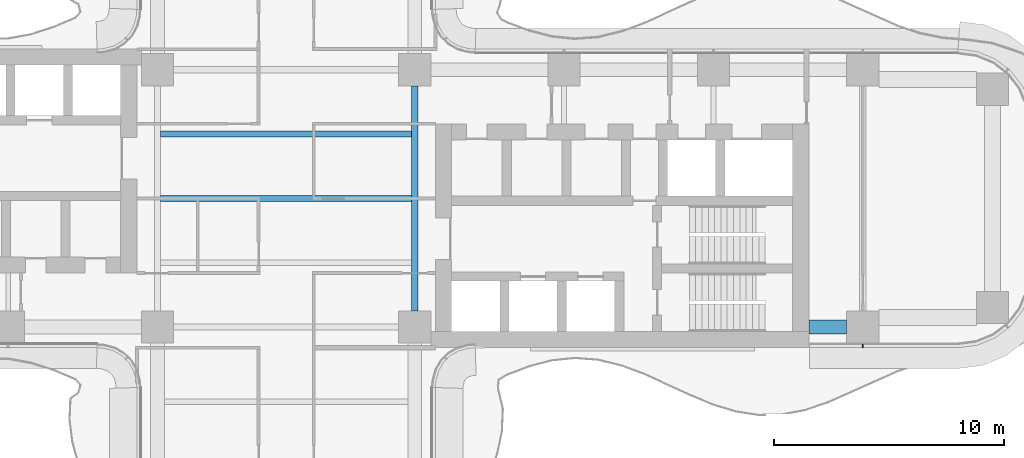
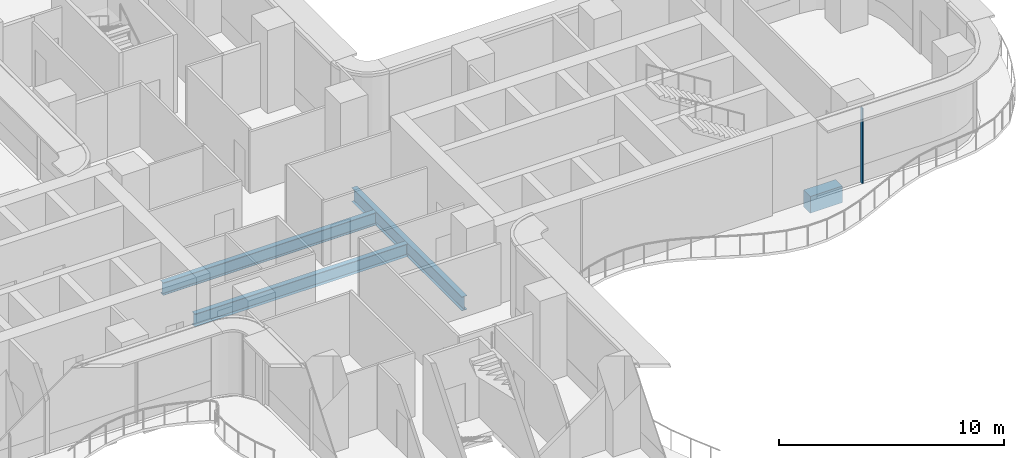
# One storey, part 6 of 22: 4 beams, 1 member, 1 element without a shape of its own.
"""IFC4 building model written with IfcOpenShell, lengths in metres."""

from ifc_helpers import new_model, si_unit, direction, frame, origin, origin_2d, place, context, subcontext, project, spatial, rectangle, i_section, extrude, source, transform, mapped, material, layer, layer_set, material_profile, profile_set, type_object, element, aggregate, save


model = new_model("IFC4")

# Units and contexts
model_context = context("Model", 3, precision=1e-05, world=origin(), true_north=direction((0.0, 1.0)))
body_context = subcontext(model_context, "Body", "Model", "MODEL_VIEW")
ifc_project = project(units=[si_unit("LENGTHUNIT", "METRE"), si_unit("AREAUNIT", "SQUARE_METRE"), si_unit("VOLUMEUNIT", "CUBIC_METRE"), si_unit("PLANEANGLEUNIT", "RADIAN"), si_unit("MASSUNIT", "GRAM", prefix="KILO")], contexts=[model_context])

# Site, building, storey
site_placement = place(None, origin())
site = spatial("IfcSite", under=ifc_project, at=site_placement, CompositionType="ELEMENT")
building_placement = place(site_placement, origin())
building = spatial("IfcBuilding", under=site, at=building_placement, Name="Trellis Farm Tower", CompositionType="ELEMENT")
storey_placement = place(building_placement, frame((0.0, 0.0, 43.0)))
storey = spatial("IfcBuildingStorey", under=building, at=storey_placement, Name="L08", CompositionType="ELEMENT", Elevation=43.0)

# Beams
ifc_material_1 = material(Name="Steel S355", Category="steel")
ifc_material_profile_1 = material_profile(ifc_material_1, i_section(OverallWidth=0.253662109375, OverallDepth=0.68359375, WebThickness=0.012451171875, FlangeThickness=0.021728515625, FilletRadius=0.01513671875, at=origin_2d()), Name="UB 686x254x140")
ifc_profile_set_1 = profile_set([ifc_material_profile_1], Name="Steel S355")
beam_type_1 = type_object("IfcBeamType", Name="UB 686x254x140 joist", PredefinedType="JOIST", material=ifc_profile_set_1)
shared_shape_1 = source(origin(), body_context, "Body", "SweptSolid", [
    extrude(i_section(OverallWidth=0.253662109375, OverallDepth=0.68359375, WebThickness=0.012451171875, FlangeThickness=0.021728515625, FilletRadius=0.01513671875, at=origin_2d()), origin(), (0.0, 0.0, 1.0), 10.93310546875),
])
for number, where, z_axis, x_axis, name in (
    (1, (-5.466552734375, 0.0, -0.591796875), (1.0, 0.0, 0.0), (0.0, 1.0, 0.0), "Floor beam"),
    (2, (-5.466552734375, 2.800048828125, -0.591796875), (1.0, 0.0, 0.0), (0.0, 1.0, 0.0), "Floor beam"),
):
    element("IfcBeam", number, at=place(storey_placement, frame(where, z_axis=z_axis, x_axis=x_axis)), inside=storey, type_object=beam_type_1, Name=name, PredefinedType="JOIST", context=body_context, shape_type="MappedRepresentation", body=[
        mapped(shared_shape_1, transform((0.0, 0.0, 0.0))),
    ])
ifc_material_profile_2 = material_profile(ifc_material_1, i_section(OverallWidth=0.2666015625, OverallDepth=0.76220703125, WebThickness=0.014404296875, FlangeThickness=0.021484375, FilletRadius=0.0166015625, at=origin_2d()), Name="UB 762x267x173")
ifc_profile_set_2 = profile_set([ifc_material_profile_2], Name="Steel S355")
beam_type_2 = type_object("IfcBeamType", Name="UB 762x267x173", PredefinedType="BEAM", material=ifc_profile_set_2)
shared_shape_2 = source(origin(), body_context, "Body", "SweptSolid", [
    extrude(i_section(OverallWidth=0.2666015625, OverallDepth=0.76220703125, WebThickness=0.014404296875, FlangeThickness=0.021484375, FilletRadius=0.0166015625, at=origin_2d()), origin(), (0.0, 0.0, 1.0), 9.7998046875),
])
beam_1_placement = place(storey_placement, frame((5.60009765625, -4.89990234375, -0.631103515625), z_axis=(0.0, 1.0, 0.0), x_axis=(-1.0, 0.0, 0.0)))
element("IfcBeam", 3, at=beam_1_placement, inside=storey, type_object=beam_type_2, Name="Girder", PredefinedType="BEAM", context=body_context, shape_type="MappedRepresentation", body=[
    mapped(shared_shape_2, transform((0.0, 0.0, 0.0))),
])
ifc_material_2 = material(Name="Concrete C60/75", Category="concrete")
ifc_material_profile_3 = material_profile(ifc_material_2, rectangle(XDim=0.60009765625, YDim=0.89990234375, at=origin_2d()), Name="RC spandrel beam 600x900 C60/75")
ifc_profile_set_3 = profile_set([ifc_material_profile_3], Name="Concrete C60/75")
beam_type_3 = type_object("IfcBeamType", Name="RC spandrel beam 600x900 C60/75", PredefinedType="SPANDREL", material=ifc_profile_set_3)
shared_shape_3 = source(origin(), body_context, "Body", "SweptSolid", [
    extrude(rectangle(XDim=0.60009765625, YDim=0.89990234375, at=origin_2d()), origin(), (0.0, 0.0, 1.0), 1.64990234375),
])
beam_2_placement = place(storey_placement, frame((22.75, -5.60009765625, -0.699951171875), z_axis=(1.0, 0.0, 0.0), x_axis=(0.0, 1.0, 0.0)))
element("IfcBeam", 4, at=beam_2_placement, inside=storey, type_object=beam_type_3, Name="Girder", PredefinedType="SPANDREL", context=body_context, shape_type="MappedRepresentation", body=[
    mapped(shared_shape_3, transform((0.0, 0.0, 0.0))),
])

# Curtain wall, member
ifc_material_3 = material(Name="Aluminium and glass curtain wall", Category="aluminium")
ifc_layer = layer(ifc_material_3, 0.18994140625)
ifc_layer_set = layer_set([ifc_layer], Name="RIBBON CURTAIN WALL CW1")
curtain_wall_type = type_object("IfcCurtainWallType", Name="RIBBON CURTAIN WALL CW1", PredefinedType="NOTDEFINED", material=ifc_layer_set)
curtain_wall_placement = place(storey_placement, origin())
curtain_wall = element("IfcCurtainWall", 5, at=curtain_wall_placement, inside=storey, type_object=curtain_wall_type, Name="CW1 005", PredefinedType="NOTDEFINED")
ifc_material_4 = material(Name="Aluminium extrusion 6063-T6", Category="aluminium")
ifc_material_profile_4 = material_profile(ifc_material_4, rectangle(XDim=0.06005859375, YDim=0.14990234375, at=origin_2d()), Name="MULLION 60x150")
ifc_profile_set_4 = profile_set([ifc_material_profile_4], Name="Aluminium extrusion 6063-T6")
member_type = type_object("IfcMemberType", Name="CW1 MULLION 60x150", PredefinedType="MULLION", material=ifc_profile_set_4)
shared_shape_4 = source(origin(), body_context, "Body", "SweptSolid", [
    extrude(rectangle(XDim=0.06005859375, YDim=0.14990234375, at=origin_2d()), origin(), (0.0, 0.0, 1.0), 4.070068359375),
])
member_placement = place(storey_placement, frame((25.10009765625, -6.425048828125, 0.0), z_axis=(0.0, 0.0, 1.0), x_axis=(1.0, 0.0, 0.0)))
member = element("IfcMember", 6, at=member_placement, type_object=member_type, Name="MU1 005-01", PredefinedType="MULLION", context=body_context, shape_type="MappedRepresentation", body=[
    mapped(shared_shape_4, transform((0.0, 0.0, 0.0))),
])
aggregate(curtain_wall, [member])

save(model, "model.ifc")
